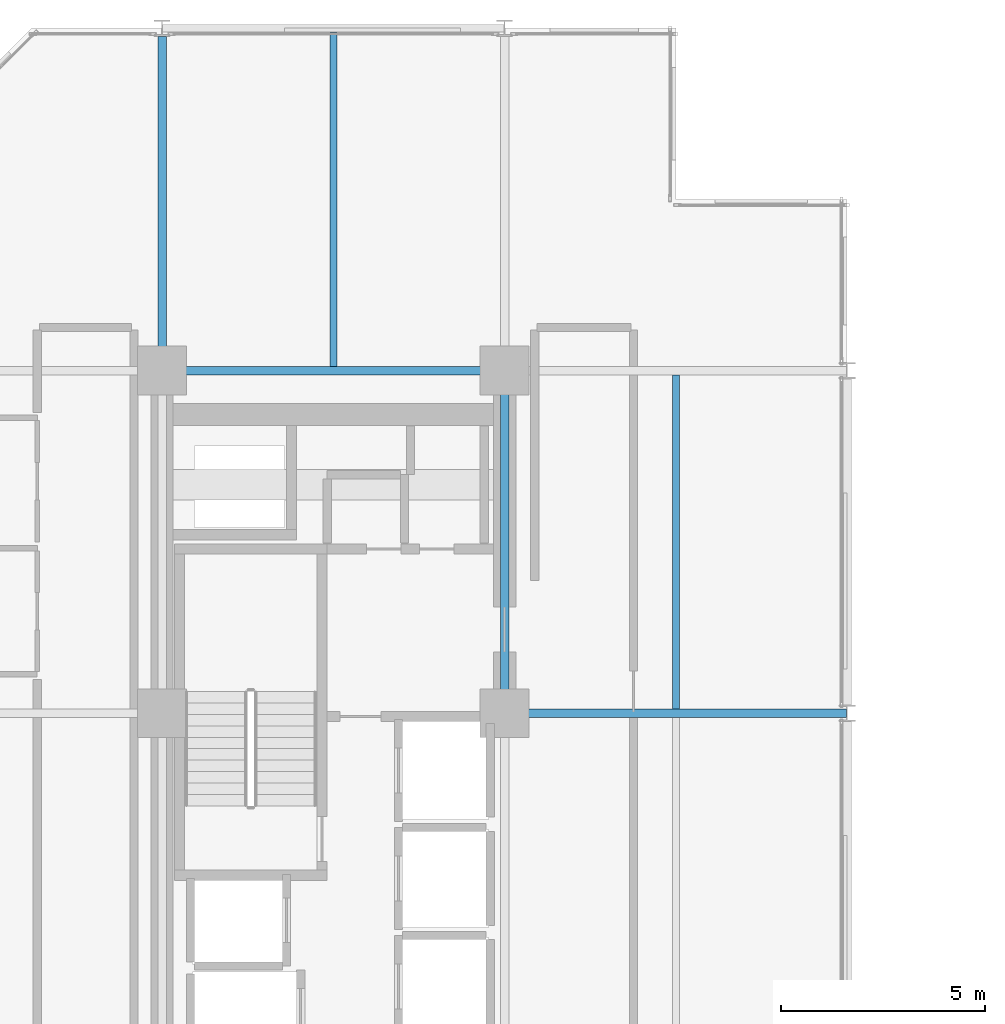
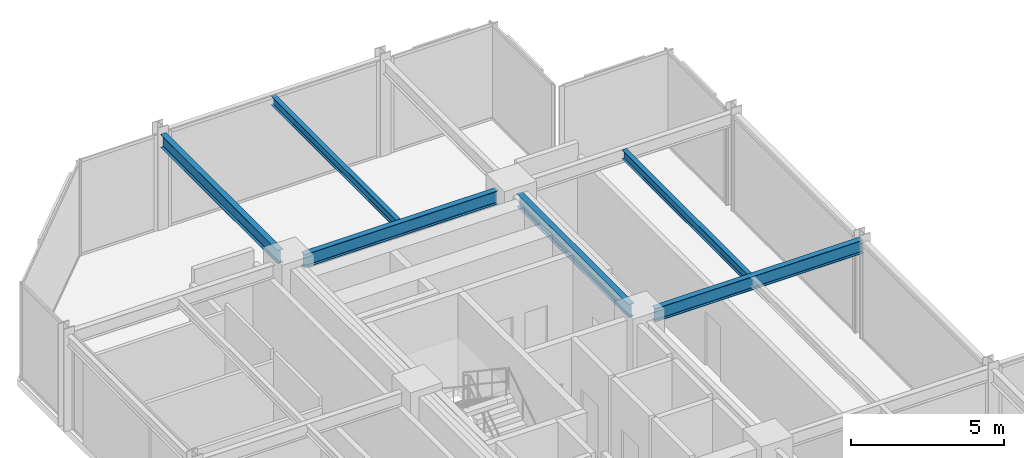
# One storey, part 26 of 38: 6 beams.
"""IFC4 building model written with IfcOpenShell, lengths in metres."""

from ifc_helpers import new_model, si_unit, direction, frame, origin, origin_2d, place, context, subcontext, project, spatial, i_section, extrude, material, material_profile, profile_set, type_object, element, save


model = new_model("IFC4")

# Units and contexts
model_context = context("Model", 3, precision=1e-05, world=origin(), true_north=direction((0.0, 1.0)))
body_context = subcontext(model_context, "Body", "Model", "MODEL_VIEW")
ifc_project = project(units=[si_unit("LENGTHUNIT", "METRE"), si_unit("AREAUNIT", "SQUARE_METRE"), si_unit("VOLUMEUNIT", "CUBIC_METRE"), si_unit("PLANEANGLEUNIT", "RADIAN"), si_unit("MASSUNIT", "GRAM", prefix="KILO")], contexts=[model_context])

# Site, building, storey
site_placement = place(None, origin())
site = spatial("IfcSite", under=ifc_project, at=site_placement, CompositionType="ELEMENT")
building_placement = place(site_placement, origin())
building = spatial("IfcBuilding", under=site, at=building_placement, Name="Nerrivon Quay Data Exchange", CompositionType="ELEMENT")
storey_placement = place(building_placement, frame((0.0, 0.0, 96.699951171875)))
storey = spatial("IfcBuildingStorey", under=building, at=storey_placement, Name="L22", CompositionType="ELEMENT", Elevation=96.699951171875)

# Beams
ifc_material = material(Name="Steel Grade 350", Category="steel")
ifc_material_profile_1 = material_profile(ifc_material, i_section(OverallWidth=0.208984375, OverallDepth=0.532958984375, WebThickness=0.01025390625, FlangeThickness=0.015625, FilletRadius=0.013916015625, at=origin_2d()), Name="530UB92.4")
ifc_profile_set_1 = profile_set([ifc_material_profile_1], Name="Steel Grade 350")
beam_type_1 = type_object("IfcBeamType", Name="BM-G3-530UB92", PredefinedType="BEAM", material=ifc_profile_set_1)
beam_1_placement = place(storey_placement, frame((17.340087890625, 33.60009765625, 3.55859375), z_axis=(1.0, 0.0, 0.0), x_axis=(0.0, 1.0, 0.0)))
element("IfcBeam", 1, at=beam_1_placement, inside=storey, type_object=beam_type_1, Name="L22 EW Girder Y=33.6 (16.8..25.2)", PredefinedType="BEAM", context=body_context, shape_type="SweptSolid", body=[
    extrude(i_section(OverallWidth=0.208984375, OverallDepth=0.532958984375, WebThickness=0.01025390625, FlangeThickness=0.015625, FilletRadius=0.013916015625, at=origin_2d()), origin(), (0.0, 0.0, 1.0), 7.847412109375),
])
beam_2_placement = place(storey_placement, frame((8.93994140625, 42.0, 3.55859375), z_axis=(1.0, 0.0, 0.0), x_axis=(0.0, 1.0, 0.0)))
element("IfcBeam", 2, at=beam_2_placement, inside=storey, type_object=beam_type_1, Name="L22 EW Girder Y=42.0 (8.4..16.8)", PredefinedType="BEAM", context=body_context, shape_type="SweptSolid", body=[
    extrude(i_section(OverallWidth=0.208984375, OverallDepth=0.532958984375, WebThickness=0.01025390625, FlangeThickness=0.015625, FilletRadius=0.013916015625, at=origin_2d()), origin(), (0.0, 0.0, 1.0), 7.320068359375),
])
ifc_material_profile_2 = material_profile(ifc_material, i_section(OverallWidth=0.208984375, OverallDepth=0.528076171875, WebThickness=0.009521484375, FlangeThickness=0.01318359375, FilletRadius=0.013916015625, at=origin_2d()), Name="530UB82.0")
ifc_profile_set_2 = profile_set([ifc_material_profile_2], Name="Steel Grade 350")
beam_type_2 = type_object("IfcBeamType", Name="BM-G4-530UB82", PredefinedType="BEAM", material=ifc_profile_set_2)
beam_3_placement = place(storey_placement, frame((8.39990234375, 42.5400390625, 3.56103515625), z_axis=(0.0, 1.0, 0.0), x_axis=(-1.0, 0.0, 0.0)))
element("IfcBeam", 3, at=beam_3_placement, inside=storey, type_object=beam_type_2, Name="L22 NS Girder X=8.4 (42.0..50.4)", PredefinedType="BEAM", context=body_context, shape_type="SweptSolid", body=[
    extrude(i_section(OverallWidth=0.208984375, OverallDepth=0.528076171875, WebThickness=0.009521484375, FlangeThickness=0.01318359375, FilletRadius=0.013916015625, at=origin_2d()), origin(), (0.0, 0.0, 1.0), 7.659912109375),
])
beam_4_placement = place(storey_placement, frame((16.800048828125, 34.139892578125, 3.56103515625), z_axis=(0.0, 1.0, 0.0), x_axis=(-1.0, 0.0, 0.0)))
element("IfcBeam", 4, at=beam_4_placement, inside=storey, type_object=beam_type_2, Name="L22 NS Girder X=16.8 (33.6..42.0)", PredefinedType="BEAM", context=body_context, shape_type="SweptSolid", body=[
    extrude(i_section(OverallWidth=0.208984375, OverallDepth=0.528076171875, WebThickness=0.009521484375, FlangeThickness=0.01318359375, FilletRadius=0.013916015625, at=origin_2d()), origin(), (0.0, 0.0, 1.0), 7.320068359375),
])
ifc_material_profile_3 = material_profile(ifc_material, i_section(OverallWidth=0.1708984375, OverallDepth=0.35595703125, WebThickness=0.00732421875, FlangeThickness=0.011474609375, FilletRadius=0.011474609375, at=origin_2d()), Name="360UB50.7")
ifc_profile_set_3 = profile_set([ifc_material_profile_3], Name="Steel Grade 350")
beam_type_3 = type_object("IfcBeamType", Name="BM-J4-360UB51", PredefinedType="JOIST", material=ifc_profile_set_3)
beam_5_placement = place(storey_placement, frame((12.60009765625, 42.1044921875, 3.64697265625), z_axis=(0.0, 1.0, 0.0), x_axis=(-1.0, 0.0, 0.0)))
element("IfcBeam", 5, at=beam_5_placement, inside=storey, type_object=beam_type_3, Name="L22 Secondary Joist X=12.6 (42.0..50.4)", PredefinedType="JOIST", context=body_context, shape_type="SweptSolid", body=[
    extrude(i_section(OverallWidth=0.1708984375, OverallDepth=0.35595703125, WebThickness=0.00732421875, FlangeThickness=0.011474609375, FilletRadius=0.011474609375, at=origin_2d()), origin(), (0.0, 0.0, 1.0), 8.20654296875),
])
beam_6_placement = place(storey_placement, frame((21.0, 33.70458984375, 3.64697265625), z_axis=(0.0, 1.0, 0.0), x_axis=(-1.0, 0.0, 0.0)))
element("IfcBeam", 6, at=beam_6_placement, inside=storey, type_object=beam_type_3, Name="L22 Secondary Joist X=21.0 (33.6..42.0)", PredefinedType="JOIST", context=body_context, shape_type="SweptSolid", body=[
    extrude(i_section(OverallWidth=0.1708984375, OverallDepth=0.35595703125, WebThickness=0.00732421875, FlangeThickness=0.011474609375, FilletRadius=0.011474609375, at=origin_2d()), origin(), (0.0, 0.0, 1.0), 8.19091796875),
])

save(model, "model.ifc")
